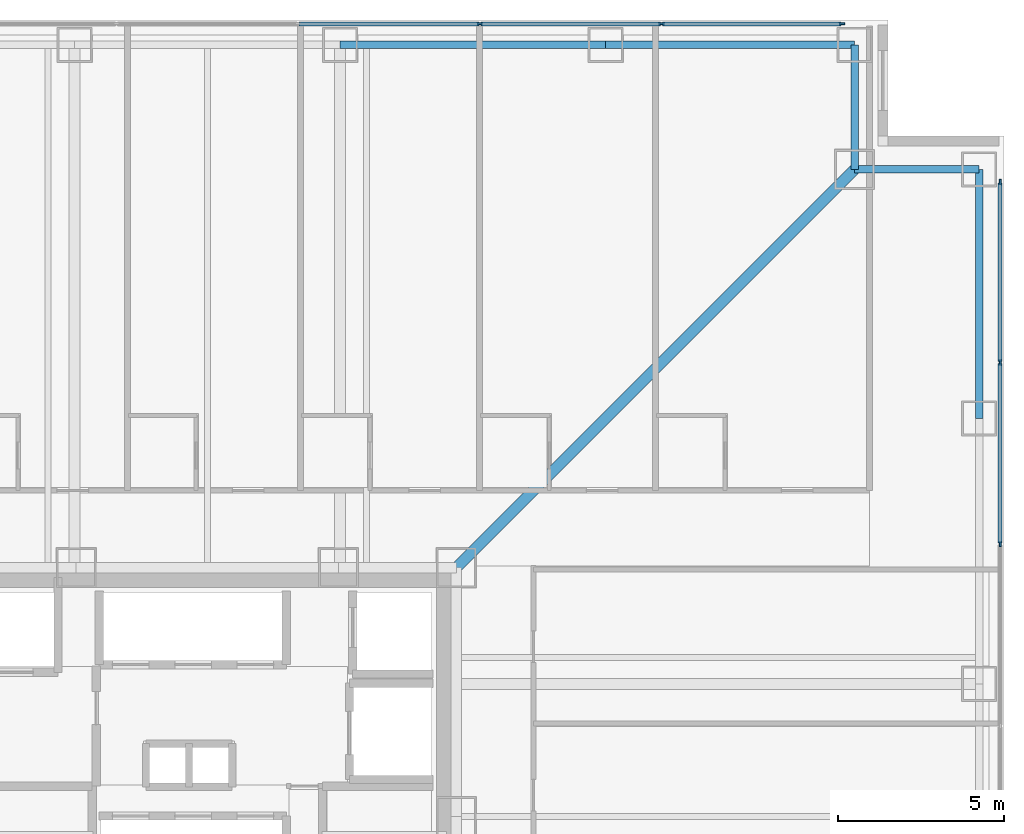
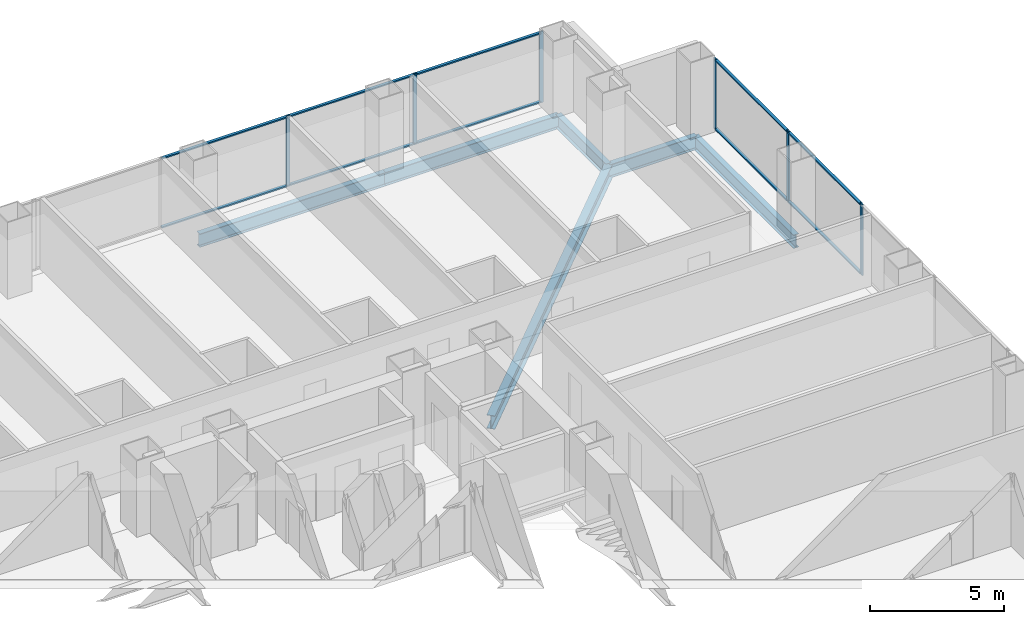
# One storey, part 9 of 17: 16 members, 6 beams, 2 elements without a shape of their own.
"""IFC4 building model written with IfcOpenShell, lengths in metres."""

from ifc_helpers import new_model, si_unit, direction, frame, origin, origin_2d, place, context, subcontext, project, spatial, rectangle, i_section, extrude, material, layer, layer_set, material_profile, profile_set, type_object, element, aggregate, save


model = new_model("IFC4")

# Units and contexts
model_context = context("Model", 3, precision=1e-05, world=origin(), true_north=direction((0.0, 1.0)))
body_context = subcontext(model_context, "Body", "Model", "MODEL_VIEW")
ifc_project = project(units=[si_unit("LENGTHUNIT", "METRE"), si_unit("AREAUNIT", "SQUARE_METRE"), si_unit("VOLUMEUNIT", "CUBIC_METRE"), si_unit("PLANEANGLEUNIT", "RADIAN"), si_unit("MASSUNIT", "GRAM", prefix="KILO")], contexts=[model_context])

# Site, building, storey
site_placement = place(None, origin())
site = spatial("IfcSite", under=ifc_project, at=site_placement, CompositionType="ELEMENT")
building_placement = place(site_placement, origin())
building = spatial("IfcBuilding", under=site, at=building_placement, Name="Trevonay Congress Spire", CompositionType="ELEMENT")
storey_placement = place(building_placement, frame((0.0, 0.0, 30.5)))
storey = spatial("IfcBuildingStorey", under=building, at=storey_placement, Name="L06", CompositionType="ELEMENT", Elevation=30.5)

# Beams
ifc_material_1 = material(Name="Steel ASTM A572 Grade 50", Category="steel")
ifc_material_profile_1 = material_profile(ifc_material_1, i_section(OverallWidth=0.324951171875, OverallDepth=0.615966796875, WebThickness=0.013916015625, FlangeThickness=0.021484375, FilletRadius=0.01806640625, at=origin_2d()), Name="W610x174")
ifc_profile_set_1 = profile_set([ifc_material_profile_1], Name="Steel ASTM A572 Grade 50")
beam_type_1 = type_object("IfcBeamType", Name="BM-GIRD-W610X174", PredefinedType="BEAM", material=ifc_profile_set_1)
beam_1_placement = place(storey_placement, frame((7.5, 7.5, -0.55810546875), z_axis=(0.707106781187, 0.707106781187, 0.0), x_axis=(-0.707106781187, 0.707106781187, 0.0)))
element("IfcBeam", 1, at=beam_1_placement, inside=storey, type_object=beam_type_1, Name="L06 structural beam BM-L06-CDNE", PredefinedType="BEAM", context=body_context, shape_type="SweptSolid", body=[
    extrude(i_section(OverallWidth=0.324951171875, OverallDepth=0.615966796875, WebThickness=0.013916015625, FlangeThickness=0.021484375, FilletRadius=0.01806640625, at=origin_2d()), origin(), (0.0, 0.0, 1.0), 16.970458984375),
])
ifc_material_profile_2 = material_profile(ifc_material_1, i_section(OverallWidth=0.22998046875, OverallDepth=0.616943359375, WebThickness=0.01318359375, FlangeThickness=0.022216796875, FilletRadius=0.01611328125, at=origin_2d()), Name="W610x140")
ifc_profile_set_2 = profile_set([ifc_material_profile_2], Name="Steel ASTM A572 Grade 50")
beam_type_2 = type_object("IfcBeamType", Name="BM-RING-W610X140", PredefinedType="BEAM", material=ifc_profile_set_2)
beam_2_placement = place(storey_placement, frame((4.0, 23.25, -0.55859375), z_axis=(1.0, 0.0, 0.0), x_axis=(0.0, 1.0, 0.0)))
element("IfcBeam", 2, at=beam_2_placement, inside=storey, type_object=beam_type_2, Name="L06 structural beam BM-L06-PN4", PredefinedType="BEAM", context=body_context, shape_type="SweptSolid", body=[
    extrude(i_section(OverallWidth=0.22998046875, OverallDepth=0.616943359375, WebThickness=0.01318359375, FlangeThickness=0.022216796875, FilletRadius=0.01611328125, at=origin_2d()), origin(), (0.0, 0.0, 1.0), 8.0),
])
for number, where, z_axis, x_axis, name in (
    (3, (12.0, 23.25, -0.55859375), (1.0, 0.0, 0.0), (0.0, 1.0, 0.0), "L06 structural beam BM-L06-PN5"),
    (4, (23.25, 12.0, -0.55859375), (0.0, 1.0, 0.0), (-1.0, 0.0, 0.0), "L06 structural beam BM-L06-PE5"),
):
    element("IfcBeam", number, at=place(storey_placement, frame(where, z_axis=z_axis, x_axis=x_axis)), inside=storey, type_object=beam_type_2, Name=name, PredefinedType="BEAM", context=body_context, shape_type="SweptSolid", body=[
        extrude(i_section(OverallWidth=0.22998046875, OverallDepth=0.616943359375, WebThickness=0.01318359375, FlangeThickness=0.022216796875, FilletRadius=0.01611328125, at=origin_2d()), origin(), (0.0, 0.0, 1.0), 7.5),
    ])
for number, where, z_axis, x_axis, name in (
    (5, (19.5, 23.25, -0.55859375), (0.0, -1.0, 0.0), (1.0, 0.0, 0.0), "L06 structural beam BM-L06-N1NE"),
    (6, (23.25, 19.5, -0.55859375), (-1.0, 0.0, 0.0), (0.0, -1.0, 0.0), "L06 structural beam BM-L06-N2NE"),
):
    element("IfcBeam", number, at=place(storey_placement, frame(where, z_axis=z_axis, x_axis=x_axis)), inside=storey, type_object=beam_type_2, Name=name, PredefinedType="BEAM", context=body_context, shape_type="SweptSolid", body=[
        extrude(i_section(OverallWidth=0.22998046875, OverallDepth=0.616943359375, WebThickness=0.01318359375, FlangeThickness=0.022216796875, FilletRadius=0.01611328125, at=origin_2d()), origin(), (0.0, 0.0, 1.0), 3.75),
    ])

# Curtain wall, members
ifc_material_2 = material(Name="Pale Anodised Aluminium EN AW-6063-T6", Category="aluminium")
ifc_layer = layer(ifc_material_2, 0.179931640625, Name="Pale Anodised Aluminium EN AW-6063-T6")
ifc_layer_set = layer_set([ifc_layer], Name="Pale Anodised Aluminium EN AW-6063-T6")
curtain_wall_type = type_object("IfcCurtainWallType", Name="CW-SYS02-HOTEL-PALE-METAL", PredefinedType="NOTDEFINED", material=ifc_layer_set)
curtain_wall_1_placement = place(storey_placement, origin())
curtain_wall_1 = element("IfcCurtainWall", 7, at=curtain_wall_1_placement, inside=storey, type_object=curtain_wall_type, Name="L06 N unitised curtain wall", PredefinedType="NOTDEFINED")
ifc_material_profile_3 = material_profile(ifc_material_2, rectangle(XDim=0.06005859375, YDim=0.159912109375, at=origin_2d()), Name="CW-MULLION-160-ALUMINIUM")
ifc_profile_set_3 = profile_set([ifc_material_profile_3], Name="Pale Anodised Aluminium EN AW-6063-T6")
member_type_1 = type_object("IfcMemberType", Name="CW-MULLION-160-ALUMINIUM", PredefinedType="MULLION", material=ifc_profile_set_3)
member_1_placement = place(storey_placement, frame((8.20703125, 23.8798828125, 0.0), z_axis=(0.0, 0.0, 1.0), x_axis=(0.0, 1.0, 0.0)))
member_1 = element("IfcMember", 8, at=member_1_placement, type_object=member_type_1, Name="CW02 mullion 6", PredefinedType="MULLION", context=body_context, shape_type="SweptSolid", body=[
    extrude(rectangle(XDim=0.06005859375, YDim=0.159912109375, at=origin_2d()), origin(), (0.0, 0.0, 1.0), 3.25),
])
member_2_placement = place(storey_placement, frame((13.678466796875, 23.8798828125, 0.0), z_axis=(0.0, 0.0, 1.0), x_axis=(0.0, 1.0, 0.0)))
member_2 = element("IfcMember", 9, at=member_2_placement, type_object=member_type_1, Name="CW02 mullion 7", PredefinedType="MULLION", context=body_context, shape_type="SweptSolid", body=[
    extrude(rectangle(XDim=0.06005859375, YDim=0.159912109375, at=origin_2d()), origin(), (0.0, 0.0, 1.0), 3.25),
])
member_3_placement = place(storey_placement, frame((19.1201171875, 23.8798828125, 0.0), z_axis=(0.0, 0.0, 1.0), x_axis=(0.0, 1.0, 0.0)))
member_3 = element("IfcMember", 10, at=member_3_placement, type_object=member_type_1, Name="CW02 mullion 8", PredefinedType="MULLION", context=body_context, shape_type="SweptSolid", body=[
    extrude(rectangle(XDim=0.06005859375, YDim=0.159912109375, at=origin_2d()), origin(), (0.0, 0.0, 1.0), 3.25),
])

curtain_wall_2_placement = place(storey_placement, origin())
curtain_wall_2 = element("IfcCurtainWall", 11, at=curtain_wall_2_placement, inside=storey, type_object=curtain_wall_type, Name="L06 E unitised curtain wall", PredefinedType="NOTDEFINED")
member_4_placement = place(storey_placement, frame((23.8798828125, 8.20703125, 0.0), z_axis=(0.0, 0.0, 1.0), x_axis=(-1.0, 0.0, 0.0)))
member_4 = element("IfcMember", 12, at=member_4_placement, type_object=member_type_1, Name="CW02 mullion 6", PredefinedType="MULLION", context=body_context, shape_type="SweptSolid", body=[
    extrude(rectangle(XDim=0.06005859375, YDim=0.159912109375, at=origin_2d()), origin(), (0.0, 0.0, 1.0), 3.25),
])
member_5_placement = place(storey_placement, frame((23.8798828125, 13.678466796875, 0.0), z_axis=(0.0, 0.0, 1.0), x_axis=(-1.0, 0.0, 0.0)))
member_5 = element("IfcMember", 13, at=member_5_placement, type_object=member_type_1, Name="CW02 mullion 7", PredefinedType="MULLION", context=body_context, shape_type="SweptSolid", body=[
    extrude(rectangle(XDim=0.06005859375, YDim=0.159912109375, at=origin_2d()), origin(), (0.0, 0.0, 1.0), 3.25),
])
member_6_placement = place(storey_placement, frame((23.8798828125, 19.1201171875, 0.0), z_axis=(0.0, 0.0, 1.0), x_axis=(-1.0, 0.0, 0.0)))
member_6 = element("IfcMember", 14, at=member_6_placement, type_object=member_type_1, Name="CW02 mullion 8", PredefinedType="MULLION", context=body_context, shape_type="SweptSolid", body=[
    extrude(rectangle(XDim=0.06005859375, YDim=0.159912109375, at=origin_2d()), origin(), (0.0, 0.0, 1.0), 3.25),
])

# Member
ifc_material_profile_4 = material_profile(ifc_material_2, rectangle(XDim=0.1201171875, YDim=0.06005859375, at=origin_2d()), Name="CW-TRANSOM-120-ALUMINIUM")
ifc_profile_set_4 = profile_set([ifc_material_profile_4], Name="Pale Anodised Aluminium EN AW-6063-T6")
member_type_2 = type_object("IfcMemberType", Name="CW-TRANSOM-120-ALUMINIUM", PredefinedType="USERDEFINED", material=ifc_profile_set_4)
member_7_placement = place(storey_placement, frame((2.765625, 23.8798828125, 0.06005859375), z_axis=(1.0, 0.0, 0.0), x_axis=(0.0, 1.0, 0.0)))
member_7 = element("IfcMember", 15, at=member_7_placement, type_object=member_type_2, Name="CW02 transom 5.1", ObjectType="TRANSOM", PredefinedType="USERDEFINED", context=body_context, shape_type="SweptSolid", body=[
    extrude(rectangle(XDim=0.1201171875, YDim=0.06005859375, at=origin_2d()), origin(), (0.0, 0.0, 1.0), 5.41162109375),
])

member_8_placement = place(storey_placement, frame((2.765625, 23.8798828125, 3.18994140625), z_axis=(1.0, 0.0, 0.0), x_axis=(0.0, 1.0, 0.0)))
member_8 = element("IfcMember", 16, at=member_8_placement, type_object=member_type_2, Name="CW02 transom 5.2", ObjectType="TRANSOM", PredefinedType="USERDEFINED", context=body_context, shape_type="SweptSolid", body=[
    extrude(rectangle(XDim=0.1201171875, YDim=0.06005859375, at=origin_2d()), origin(), (0.0, 0.0, 1.0), 5.41162109375),
])

member_9_placement = place(storey_placement, frame((8.237060546875, 23.8798828125, 0.06005859375), z_axis=(1.0, 0.0, 0.0), x_axis=(0.0, 1.0, 0.0)))
member_9 = element("IfcMember", 17, at=member_9_placement, type_object=member_type_2, Name="CW02 transom 6.1", ObjectType="TRANSOM", PredefinedType="USERDEFINED", context=body_context, shape_type="SweptSolid", body=[
    extrude(rectangle(XDim=0.1201171875, YDim=0.06005859375, at=origin_2d()), origin(), (0.0, 0.0, 1.0), 5.41162109375),
])

member_10_placement = place(storey_placement, frame((8.237060546875, 23.8798828125, 3.18994140625), z_axis=(1.0, 0.0, 0.0), x_axis=(0.0, 1.0, 0.0)))
member_10 = element("IfcMember", 18, at=member_10_placement, type_object=member_type_2, Name="CW02 transom 6.2", ObjectType="TRANSOM", PredefinedType="USERDEFINED", context=body_context, shape_type="SweptSolid", body=[
    extrude(rectangle(XDim=0.1201171875, YDim=0.06005859375, at=origin_2d()), origin(), (0.0, 0.0, 1.0), 5.41162109375),
])

member_11_placement = place(storey_placement, frame((13.70849609375, 23.8798828125, 0.06005859375), z_axis=(1.0, 0.0, 0.0), x_axis=(0.0, 1.0, 0.0)))
member_11 = element("IfcMember", 19, at=member_11_placement, type_object=member_type_2, Name="CW02 transom 7.1", ObjectType="TRANSOM", PredefinedType="USERDEFINED", context=body_context, shape_type="SweptSolid", body=[
    extrude(rectangle(XDim=0.1201171875, YDim=0.06005859375, at=origin_2d()), origin(), (0.0, 0.0, 1.0), 5.381591796875),
])

member_12_placement = place(storey_placement, frame((13.70849609375, 23.8798828125, 3.18994140625), z_axis=(1.0, 0.0, 0.0), x_axis=(0.0, 1.0, 0.0)))
member_12 = element("IfcMember", 20, at=member_12_placement, type_object=member_type_2, Name="CW02 transom 7.2", ObjectType="TRANSOM", PredefinedType="USERDEFINED", context=body_context, shape_type="SweptSolid", body=[
    extrude(rectangle(XDim=0.1201171875, YDim=0.06005859375, at=origin_2d()), origin(), (0.0, 0.0, 1.0), 5.381591796875),
])

aggregate(curtain_wall_1, [member_1, member_2, member_3, member_7, member_8, member_9, member_10, member_11, member_12])

member_13_placement = place(storey_placement, frame((23.8798828125, 8.237060546875, 0.06005859375), z_axis=(0.0, 1.0, 0.0), x_axis=(-1.0, 0.0, 0.0)))
member_13 = element("IfcMember", 21, at=member_13_placement, type_object=member_type_2, Name="CW02 transom 6.1", ObjectType="TRANSOM", PredefinedType="USERDEFINED", context=body_context, shape_type="SweptSolid", body=[
    extrude(rectangle(XDim=0.1201171875, YDim=0.06005859375, at=origin_2d()), origin(), (0.0, 0.0, 1.0), 5.41162109375),
])

member_14_placement = place(storey_placement, frame((23.8798828125, 8.237060546875, 3.18994140625), z_axis=(0.0, 1.0, 0.0), x_axis=(-1.0, 0.0, 0.0)))
member_14 = element("IfcMember", 22, at=member_14_placement, type_object=member_type_2, Name="CW02 transom 6.2", ObjectType="TRANSOM", PredefinedType="USERDEFINED", context=body_context, shape_type="SweptSolid", body=[
    extrude(rectangle(XDim=0.1201171875, YDim=0.06005859375, at=origin_2d()), origin(), (0.0, 0.0, 1.0), 5.41162109375),
])

member_15_placement = place(storey_placement, frame((23.8798828125, 13.70849609375, 0.06005859375), z_axis=(0.0, 1.0, 0.0), x_axis=(-1.0, 0.0, 0.0)))
member_15 = element("IfcMember", 23, at=member_15_placement, type_object=member_type_2, Name="CW02 transom 7.1", ObjectType="TRANSOM", PredefinedType="USERDEFINED", context=body_context, shape_type="SweptSolid", body=[
    extrude(rectangle(XDim=0.1201171875, YDim=0.06005859375, at=origin_2d()), origin(), (0.0, 0.0, 1.0), 5.381591796875),
])

member_16_placement = place(storey_placement, frame((23.8798828125, 13.70849609375, 3.18994140625), z_axis=(0.0, 1.0, 0.0), x_axis=(-1.0, 0.0, 0.0)))
member_16 = element("IfcMember", 24, at=member_16_placement, type_object=member_type_2, Name="CW02 transom 7.2", ObjectType="TRANSOM", PredefinedType="USERDEFINED", context=body_context, shape_type="SweptSolid", body=[
    extrude(rectangle(XDim=0.1201171875, YDim=0.06005859375, at=origin_2d()), origin(), (0.0, 0.0, 1.0), 5.381591796875),
])

aggregate(curtain_wall_2, [member_4, member_5, member_6, member_13, member_14, member_15, member_16])

save(model, "model.ifc")
